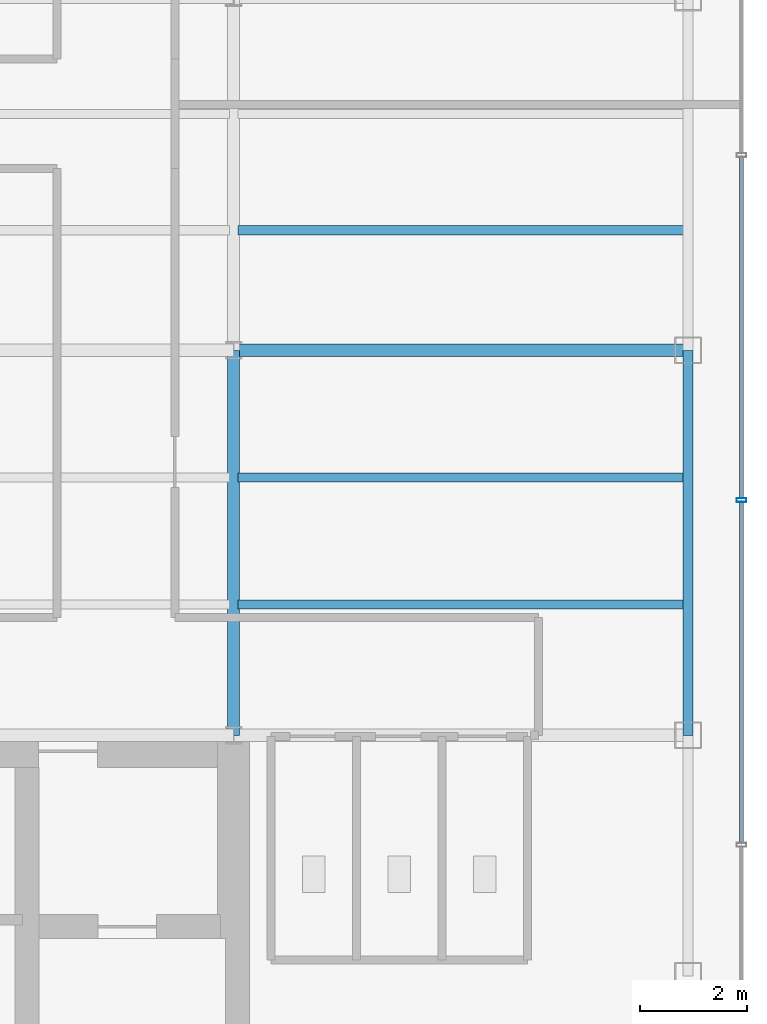
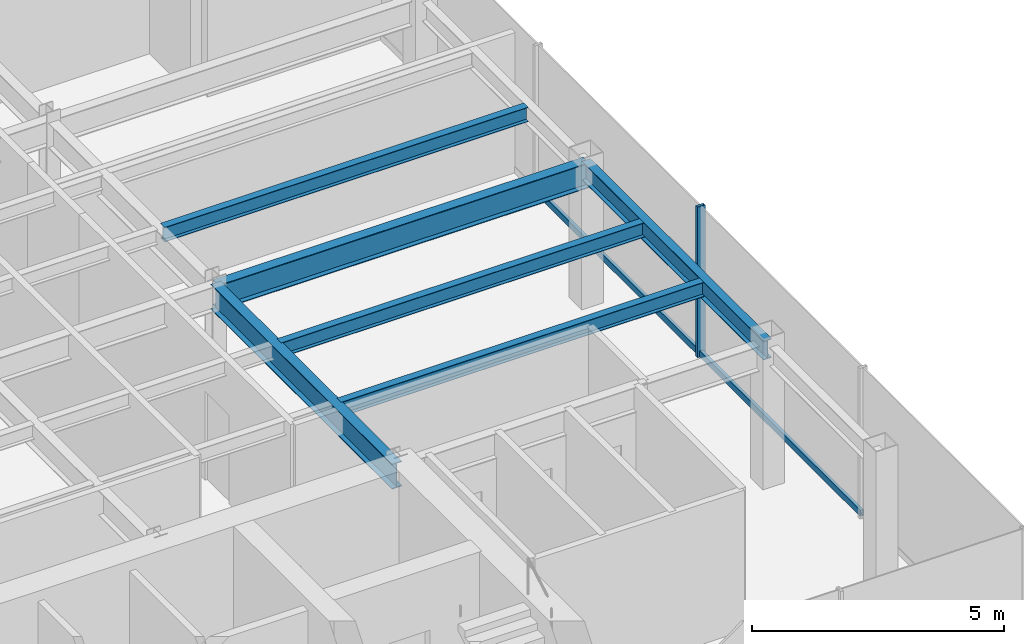
# One storey, part 10 of 22: 6 beams, 3 members, 1 element without a shape of its own.
"""IFC4 building model written with IfcOpenShell, lengths in metres."""

from ifc_helpers import new_model, si_unit, derived_unit, direction, frame, origin, origin_2d, place, context, subcontext, project, spatial, hollow_rectangle, i_section, extrude, source, transform, mapped, material, material_profile, profile_set, type_object, element, aggregate, save


model = new_model("IFC4")

# Units and contexts
model_context = context("Model", 3, precision=1e-05, world=origin(), true_north=direction((0.0, 1.0)))
body_context = subcontext(model_context, "Body", "Model", "MODEL_VIEW")
ifc_project = project(units=[si_unit("LENGTHUNIT", "METRE"), si_unit("AREAUNIT", "SQUARE_METRE"), si_unit("VOLUMEUNIT", "CUBIC_METRE"), si_unit("PLANEANGLEUNIT", "RADIAN"), si_unit("MASSUNIT", "GRAM", prefix="KILO"), derived_unit("THERMALTRANSMITTANCEUNIT", [(si_unit("POWERUNIT", "WATT"), 1), (si_unit("LENGTHUNIT", "METRE"), -2), (si_unit("THERMODYNAMICTEMPERATUREUNIT", "KELVIN"), -1)])], contexts=[model_context])

# Site, building, storey
site_placement = place(None, origin())
site = spatial("IfcSite", under=ifc_project, at=site_placement, CompositionType="ELEMENT")
building_placement = place(site_placement, origin())
building = spatial("IfcBuilding", under=site, at=building_placement, Name="Skarnbrae Concourse Arena and Tower", CompositionType="ELEMENT")
storey_placement = place(building_placement, frame((0.0, 0.0, 221.449951171875)))
storey = spatial("IfcBuildingStorey", under=building, at=storey_placement, Name="L57", CompositionType="ELEMENT", Elevation=221.449951171875)

# Beams
ifc_material_1 = material(Name="Steel CSA G40.21 350W", Category="steel")
ifc_material_profile_1 = material_profile(ifc_material_1, i_section(OverallWidth=0.22802734375, OverallDepth=0.60791015625, WebThickness=0.01123046875, FlangeThickness=0.017333984375, at=origin_2d()), Name="W610X113")
ifc_profile_set_1 = profile_set([ifc_material_profile_1], Name="Steel CSA G40.21 350W")
beam_type_1 = type_object("IfcBeamType", Name="BM-GIRD-W610X113", PredefinedType="BEAM", material=ifc_profile_set_1)
shared_shape_1 = source(origin(), body_context, "Body", "SweptSolid", [
    extrude(i_section(OverallWidth=0.22802734375, OverallDepth=0.60791015625, WebThickness=0.01123046875, FlangeThickness=0.017333984375, at=origin_2d()), origin(), (0.0, 0.0, 1.0), 8.5),
])
beam_1_placement = place(storey_placement, frame((33.5, 21.199951171875, 3.095947265625), z_axis=(1.0, 0.0, 0.0), x_axis=(0.0, 1.0, 0.0)))
element("IfcBeam", 1, at=beam_1_placement, inside=storey, type_object=beam_type_1, Name="L57 Primary E-W girder Y21.2-6", PredefinedType="BEAM", context=body_context, shape_type="MappedRepresentation", body=[
    mapped(shared_shape_1, transform((0.0, 0.0, 0.0))),
])
ifc_material_profile_2 = material_profile(ifc_material_1, i_section(OverallWidth=0.19091796875, OverallDepth=0.4599609375, WebThickness=0.010009765625, FlangeThickness=0.01611328125, at=origin_2d()), Name="W460X82")
ifc_profile_set_2 = profile_set([ifc_material_profile_2], Name="Steel CSA G40.21 350W")
beam_type_2 = type_object("IfcBeamType", Name="BM-SPAN-W460X82", PredefinedType="SPANDREL", material=ifc_profile_set_2)
shared_shape_2 = source(origin(), body_context, "Body", "SweptSolid", [
    extrude(i_section(OverallWidth=0.19091796875, OverallDepth=0.4599609375, WebThickness=0.010009765625, FlangeThickness=0.01611328125, at=origin_2d()), origin(), (0.0, 0.0, 1.0), 7.199951171875),
])
beam_2_placement = place(storey_placement, frame((42.0, 14.0, 3.170166015625), z_axis=(0.0, 1.0, 0.0), x_axis=(-1.0, 0.0, 0.0)))
element("IfcBeam", 2, at=beam_2_placement, inside=storey, type_object=beam_type_2, Name="L57 Perimeter spandrel X42.0-2", PredefinedType="SPANDREL", context=body_context, shape_type="MappedRepresentation", body=[
    mapped(shared_shape_2, transform((0.0, 0.0, 0.0))),
])
shared_shape_3 = source(origin(), body_context, "Body", "SweptSolid", [
    extrude(i_section(OverallWidth=0.22802734375, OverallDepth=0.60791015625, WebThickness=0.01123046875, FlangeThickness=0.017333984375, at=origin_2d()), origin(), (0.0, 0.0, 1.0), 7.199951171875),
])
beam_3_placement = place(storey_placement, frame((33.5, 14.0, 3.095947265625), z_axis=(0.0, 1.0, 0.0), x_axis=(-1.0, 0.0, 0.0)))
element("IfcBeam", 3, at=beam_3_placement, inside=storey, type_object=beam_type_1, Name="L57 Primary N-S girder X33.5-1", PredefinedType="BEAM", context=body_context, shape_type="MappedRepresentation", body=[
    mapped(shared_shape_3, transform((0.0, 0.0, 0.0))),
])
ifc_material_profile_3 = material_profile(ifc_material_1, i_section(OverallWidth=0.1708984375, OverallDepth=0.35498046875, WebThickness=0.007080078125, FlangeThickness=0.01171875, at=origin_2d()), Name="W360X51")
ifc_profile_set_3 = profile_set([ifc_material_profile_3], Name="Steel CSA G40.21 350W")
beam_type_3 = type_object("IfcBeamType", Name="BM-JOIST-W360X51", PredefinedType="JOIST", material=ifc_profile_set_3)
shared_shape_4 = source(origin(), body_context, "Body", "SweptSolid", [
    extrude(i_section(OverallWidth=0.1708984375, OverallDepth=0.35498046875, WebThickness=0.007080078125, FlangeThickness=0.01171875, at=origin_2d()), origin(), (0.0, 0.0, 1.0), 8.33984375),
])
for number, where, z_axis, x_axis, name in (
    (4, (33.580078125, 16.447998046875, 3.22265625), (1.0, 0.0, 0.0), (0.0, 1.0, 0.0), "L57 Secondary floor joist 1.1.6"),
    (5, (33.580078125, 18.823974609375, 3.22265625), (1.0, 0.0, 0.0), (0.0, 1.0, 0.0), "L57 Secondary floor joist 1.2.6"),
    (6, (33.580078125, 23.444091796875, 3.22265625), (1.0, 0.0, 0.0), (0.0, 1.0, 0.0), "L57 Secondary floor joist 2.1.6"),
):
    element("IfcBeam", number, at=place(storey_placement, frame(where, z_axis=z_axis, x_axis=x_axis)), inside=storey, type_object=beam_type_3, Name=name, PredefinedType="JOIST", context=body_context, shape_type="MappedRepresentation", body=[
        mapped(shared_shape_4, transform((0.0, 0.0, 0.0))),
    ])

# Curtain wall, members
ifc_material_2 = material(Name="Bronze anodised aluminium 6063-T6", Category="aluminium")
curtain_wall_type = type_object("IfcCurtainWallType", Name="CW-SYS-05-HIGHZONE", PredefinedType="USERDEFINED", material=ifc_material_2)
curtain_wall_placement = place(storey_placement, origin())
curtain_wall = element("IfcCurtainWall", 7, at=curtain_wall_placement, inside=storey, type_object=curtain_wall_type, Name="L57 Unitised curtain wall CW-L57-E04", ObjectType="UNITISED CURTAIN WALL", PredefinedType="USERDEFINED")
ifc_material_profile_4 = material_profile(ifc_material_2, hollow_rectangle(XDim=0.074951171875, YDim=0.14990234375, WallThickness=0.00390625, at=origin_2d()), Name="ALU-TRAN-75X150")
ifc_profile_set_4 = profile_set([ifc_material_profile_4], Name="Bronze anodised aluminium 6063-T6")
member_type_1 = type_object("IfcMemberType", Name="CWT-CW-05", PredefinedType="USERDEFINED", material=ifc_profile_set_4)
shared_shape_5 = source(origin(), body_context, "Body", "SweptSolid", [
    extrude(hollow_rectangle(XDim=0.074951171875, YDim=0.14990234375, WallThickness=0.00390625, at=origin_2d()), origin(), (0.0, 0.0, 1.0), 6.375),
])
member_1_placement = place(storey_placement, frame((43.0, 11.987548828125, 0.074951171875), z_axis=(0.0, 1.0, 0.0), x_axis=(-1.0, 0.0, 0.0)))
member_1 = element("IfcMember", 8, at=member_1_placement, type_object=member_type_1, Name="CW-L57-E04 Transom 2", ObjectType="TRANSOM", PredefinedType="USERDEFINED", context=body_context, shape_type="MappedRepresentation", body=[
    mapped(shared_shape_5, transform((0.0, 0.0, 0.0))),
])
member_2_placement = place(storey_placement, frame((43.0, 18.4375, 0.074951171875), z_axis=(0.0, 1.0, 0.0), x_axis=(-1.0, 0.0, 0.0)))
member_2 = element("IfcMember", 9, at=member_2_placement, type_object=member_type_1, Name="CW-L57-E04 Transom 3", ObjectType="TRANSOM", PredefinedType="USERDEFINED", context=body_context, shape_type="MappedRepresentation", body=[
    mapped(shared_shape_5, transform((0.0, 0.0, 0.0))),
])
ifc_material_profile_5 = material_profile(ifc_material_2, hollow_rectangle(XDim=0.074951171875, YDim=0.179931640625, WallThickness=0.00390625, at=origin_2d()), Name="ALU-MULL-75X180")
ifc_profile_set_5 = profile_set([ifc_material_profile_5], Name="Bronze anodised aluminium 6063-T6")
member_type_2 = type_object("IfcMemberType", Name="CWM-CW-05", PredefinedType="MULLION", material=ifc_profile_set_5)
shared_shape_6 = source(origin(), body_context, "Body", "SweptSolid", [
    extrude(hollow_rectangle(XDim=0.074951171875, YDim=0.179931640625, WallThickness=0.00390625, at=origin_2d()), origin(), (0.0, 0.0, 1.0), 3.650146484375),
])
member_3_placement = place(storey_placement, frame((43.0, 18.39990234375, 0.0), z_axis=(0.0, 0.0, 1.0), x_axis=(0.0, 1.0, 0.0)))
member_3 = element("IfcMember", 10, at=member_3_placement, type_object=member_type_2, Name="CW-L57-E04 Mullion 3", PredefinedType="MULLION", context=body_context, shape_type="MappedRepresentation", body=[
    mapped(shared_shape_6, transform((0.0, 0.0, 0.0))),
])
aggregate(curtain_wall, [member_3, member_1, member_2])

save(model, "model.ifc")
